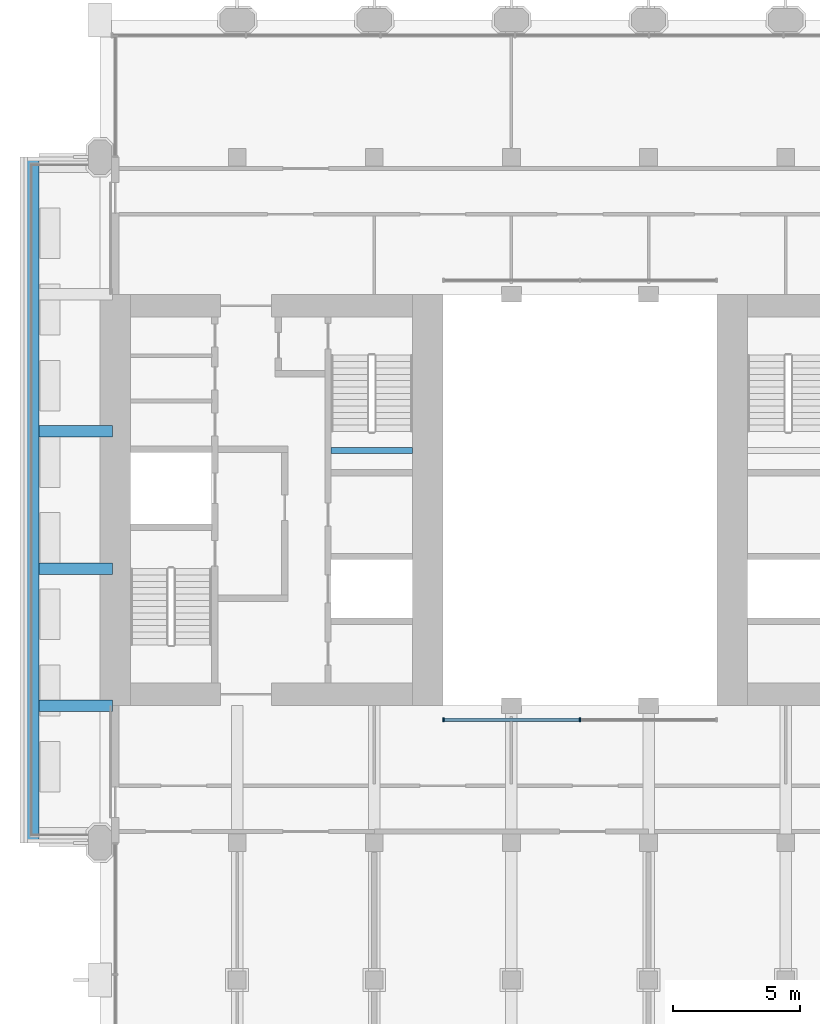
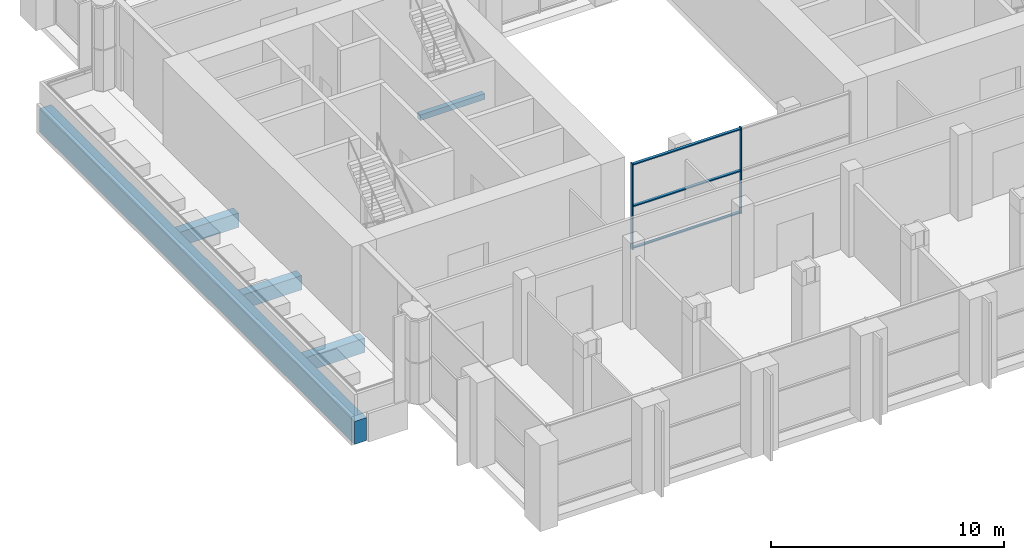
# One storey, part 4 of 14: 5 beams, 5 members, 1 element without a shape of its own.
"""IFC4 building model written with IfcOpenShell, lengths in metres."""

from ifc_helpers import new_model, si_unit, direction, frame, origin, origin_2d, place, context, subcontext, project, spatial, rectangle, extrude, material, material_profile, profile_set, type_object, element, aggregate, save


model = new_model("IFC4")

# Units and contexts
model_context = context("Model", 3, precision=1e-05, world=origin(), true_north=direction((0.0, 1.0)))
body_context = subcontext(model_context, "Body", "Model", "MODEL_VIEW")
ifc_project = project(units=[si_unit("LENGTHUNIT", "METRE"), si_unit("AREAUNIT", "SQUARE_METRE"), si_unit("VOLUMEUNIT", "CUBIC_METRE"), si_unit("PLANEANGLEUNIT", "RADIAN"), si_unit("MASSUNIT", "GRAM", prefix="KILO")], contexts=[model_context])

# Site, building, storey
site_placement = place(None, origin())
site = spatial("IfcSite", under=ifc_project, at=site_placement, CompositionType="ELEMENT")
building_placement = place(site_placement, origin())
building = spatial("IfcBuilding", under=site, at=building_placement, Name="Tabaq Tower and Sports Hall", CompositionType="ELEMENT")
storey_placement = place(building_placement, frame((0.0, 0.0, 250.89990234375)))
storey = spatial("IfcBuildingStorey", under=building, at=storey_placement, Name="L61", CompositionType="ELEMENT", Elevation=250.89990234375)

# Curtain wall, members
ifc_material_1 = material(Name="Aluminium alloy 6063-T6 framed glazing", Category="aluminium")
curtain_wall_type = type_object("IfcCurtainWallType", Name="CW1 curtain wall", PredefinedType="USERDEFINED", material=ifc_material_1)
curtain_wall_placement = place(storey_placement, origin())
curtain_wall = element("IfcCurtainWall", 1, at=curtain_wall_placement, inside=storey, type_object=curtain_wall_type, Name="Atrium glazing L61 S", ObjectType="ATRIUM ENCLOSURE", PredefinedType="USERDEFINED")
ifc_material_2 = material(Name="Aluminium alloy 6063-T6", Category="aluminium")
ifc_material_profile_1 = material_profile(ifc_material_2, rectangle(XDim=0.159912109375, YDim=0.06005859375, at=origin_2d()), Name="MULLION 160x60")
ifc_profile_set_1 = profile_set([ifc_material_profile_1], Name="Aluminium alloy 6063-T6")
member_type_1 = type_object("IfcMemberType", Name="CW1 mullion 160x60", PredefinedType="MULLION", material=ifc_profile_set_1)
member_1_placement = place(storey_placement, frame((18.929931640625, 15.64990234375, 0.0), z_axis=(0.0, 0.0, 1.0), x_axis=(0.0, 1.0, 0.0)))
member_1 = element("IfcMember", 2, at=member_1_placement, type_object=member_type_1, Name="CW1 mullion 1", PredefinedType="MULLION", context=body_context, shape_type="SweptSolid", body=[
    extrude(rectangle(XDim=0.159912109375, YDim=0.06005859375, at=origin_2d()), origin(), (0.0, 0.0, 1.0), 4.5),
])
member_2_placement = place(storey_placement, frame((24.300048828125, 15.64990234375, 0.0), z_axis=(0.0, 0.0, 1.0), x_axis=(0.0, 1.0, 0.0)))
member_2 = element("IfcMember", 3, at=member_2_placement, type_object=member_type_1, Name="CW1 mullion 2", PredefinedType="MULLION", context=body_context, shape_type="SweptSolid", body=[
    extrude(rectangle(XDim=0.159912109375, YDim=0.06005859375, at=origin_2d()), origin(), (0.0, 0.0, 1.0), 4.5),
])
ifc_material_3 = material(Name="Aluminium alloy 6063-T6", Category="aluminium")
ifc_material_profile_2 = material_profile(ifc_material_3, rectangle(XDim=0.139892578125, YDim=0.06005859375, at=origin_2d()), Name="TRANSOM 140x60")
ifc_profile_set_2 = profile_set([ifc_material_profile_2], Name="Aluminium alloy 6063-T6")
member_type_2 = type_object("IfcMemberType", Name="CW1 transom 140x60", PredefinedType="USERDEFINED", material=ifc_profile_set_2)
member_3_placement = place(storey_placement, frame((18.9599609375, 15.64990234375, 0.070068359375), z_axis=(1.0, 0.0, 0.0), x_axis=(0.0, 1.0, 0.0)))
member_3 = element("IfcMember", 4, at=member_3_placement, type_object=member_type_2, Name="CW1 transom 1.1", ObjectType="TRANSOM", PredefinedType="USERDEFINED", context=body_context, shape_type="SweptSolid", body=[
    extrude(rectangle(XDim=0.139892578125, YDim=0.06005859375, at=origin_2d()), origin(), (0.0, 0.0, 1.0), 5.31005859375),
])
member_4_placement = place(storey_placement, frame((18.9599609375, 15.64990234375, 2.25), z_axis=(1.0, 0.0, 0.0), x_axis=(0.0, 1.0, 0.0)))
member_4 = element("IfcMember", 5, at=member_4_placement, type_object=member_type_2, Name="CW1 transom 1.2", ObjectType="TRANSOM", PredefinedType="USERDEFINED", context=body_context, shape_type="SweptSolid", body=[
    extrude(rectangle(XDim=0.139892578125, YDim=0.06005859375, at=origin_2d()), origin(), (0.0, 0.0, 1.0), 5.31005859375),
])
member_5_placement = place(storey_placement, frame((18.9599609375, 15.64990234375, 4.43017578125), z_axis=(1.0, 0.0, 0.0), x_axis=(0.0, 1.0, 0.0)))
member_5 = element("IfcMember", 6, at=member_5_placement, type_object=member_type_2, Name="CW1 transom 1.3", ObjectType="TRANSOM", PredefinedType="USERDEFINED", context=body_context, shape_type="SweptSolid", body=[
    extrude(rectangle(XDim=0.139892578125, YDim=0.06005859375, at=origin_2d()), origin(), (0.0, 0.0, 1.0), 5.31005859375),
])
aggregate(curtain_wall, [member_1, member_2, member_3, member_4, member_5])

# Beams
ifc_material_4 = material(Name="Concrete C40/50", Category="concrete")
ifc_material_profile_3 = material_profile(ifc_material_4, rectangle(XDim=0.60009765625, YDim=1.199951171875, at=origin_2d()), Name="EBT 600x1200")
ifc_profile_set_3 = profile_set([ifc_material_profile_3], Name="Concrete C40/50")
beam_type_1 = type_object("IfcBeamType", Name="Concrete C40/50 PT edge band EBT 600x1200", PredefinedType="BEAM", material=ifc_profile_set_3)
beam_1_placement = place(storey_placement, frame((2.699951171875, 37.800048828125, -0.89990234375), z_axis=(0.0, -1.0, 0.0), x_axis=(1.0, 0.0, 0.0)))
element("IfcBeam", 7, at=beam_1_placement, inside=storey, type_object=beam_type_1, Name="Tray edge band L61", PredefinedType="BEAM", context=body_context, shape_type="SweptSolid", body=[
    extrude(rectangle(XDim=0.60009765625, YDim=1.199951171875, at=origin_2d()), origin(), (0.0, 0.0, 1.0), 27.0),
])
ifc_material_5 = material(Name="Concrete C40/50", Category="concrete")
ifc_material_profile_4 = material_profile(ifc_material_5, rectangle(XDim=0.449951171875, YDim=0.75, at=origin_2d()), Name="CB 450x750")
ifc_profile_set_4 = profile_set([ifc_material_profile_4], Name="Concrete C40/50")
beam_type_2 = type_object("IfcBeamType", Name="PT CANTILEVER BEAM CB 450x750 C40/50", PredefinedType="BEAM", material=ifc_profile_set_4)
for number, where, z_axis, x_axis, name in (
    (8, (3.0, 27.0, -0.6748046875), (1.0, 0.0, 0.0), (0.0, 1.0, 0.0), "Tray Cantilever Beam L61 T2 span 1"),
    (9, (3.0, 21.60009765625, -0.6748046875), (1.0, 0.0, 0.0), (0.0, 1.0, 0.0), "Tray Cantilever Beam L61 T3 span 1"),
    (10, (3.0, 16.199951171875, -0.6748046875), (1.0, 0.0, 0.0), (0.0, 1.0, 0.0), "Tray Cantilever Beam L61 T4 span 1"),
):
    element("IfcBeam", number, at=place(storey_placement, frame(where, z_axis=z_axis, x_axis=x_axis)), inside=storey, type_object=beam_type_2, Name=name, PredefinedType="BEAM", context=body_context, shape_type="SweptSolid", body=[
        extrude(rectangle(XDim=0.449951171875, YDim=0.75, at=origin_2d()), origin(), (0.0, 0.0, 1.0), 2.89990234375),
    ])
ifc_material_6 = material(Name="Concrete C40/50", Category="concrete")
ifc_material_profile_5 = material_profile(ifc_material_6, rectangle(XDim=0.25, YDim=0.300048828125, at=origin_2d()), Name="RC 250x300")
ifc_profile_set_5 = profile_set([ifc_material_profile_5], Name="Concrete C40/50")
beam_type_3 = type_object("IfcBeamType", Name="Stair landing beam 250x300", PredefinedType="BEAM", material=ifc_profile_set_5)
beam_2_placement = place(storey_placement, frame((14.5, 26.25, 2.050048828125), z_axis=(1.0, 0.0, 0.0), x_axis=(0.0, 1.0, 0.0)))
element("IfcBeam", 11, at=beam_2_placement, inside=storey, type_object=beam_type_3, Name="L61 ST2 landing beam 1", PredefinedType="BEAM", context=body_context, shape_type="SweptSolid", body=[
    extrude(rectangle(XDim=0.25, YDim=0.300048828125, at=origin_2d()), origin(), (0.0, 0.0, 1.0), 3.199951171875),
])

save(model, "model.ifc")
